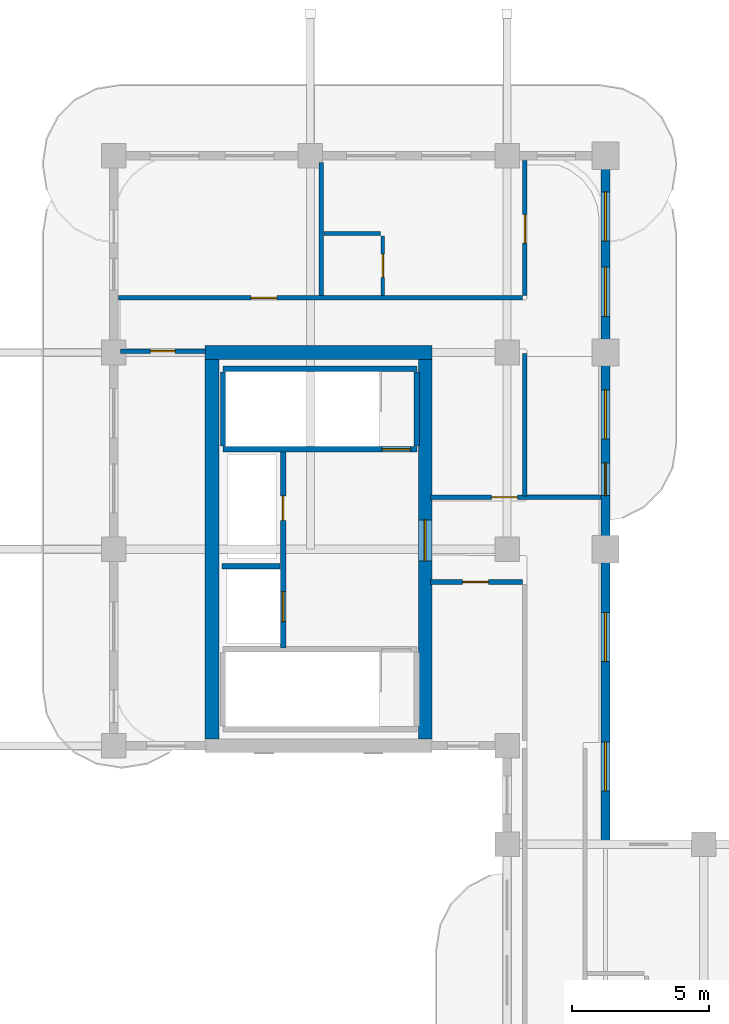
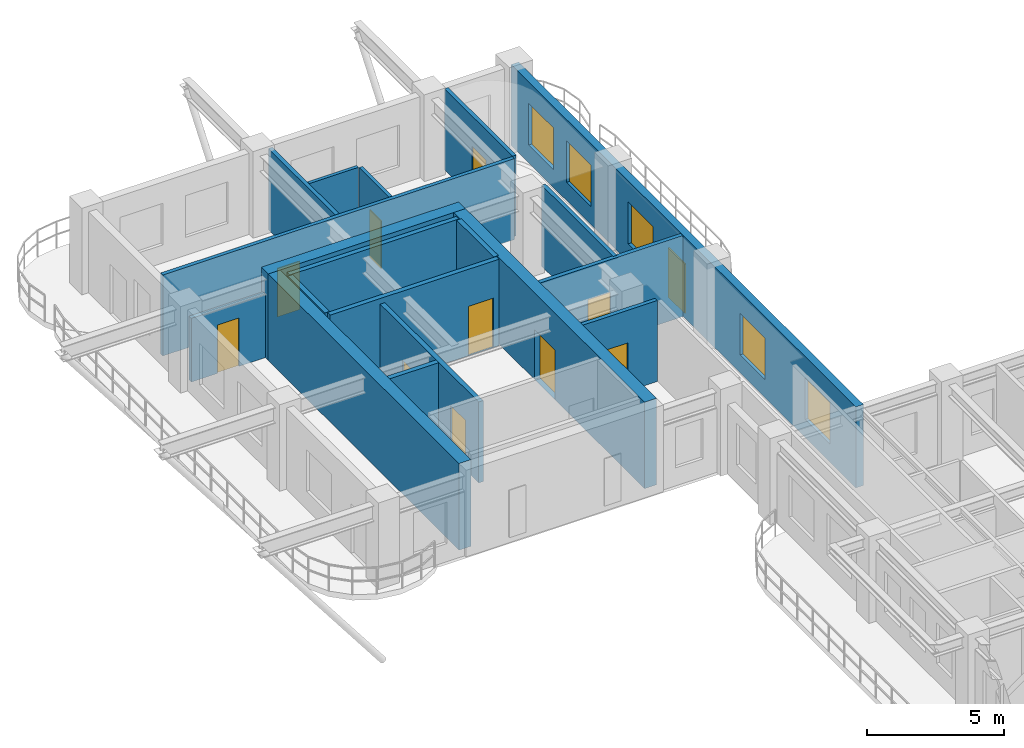
# One storey, part 10 of 14: 19 walls, 11 doors, 5 windows, 16 openings.
"""IFC4 building model written with IfcOpenShell, lengths in metres."""

from ifc_helpers import new_model, si_unit, derived_unit, direction, frame, frame_2d, origin, place, context, subcontext, project, spatial, rectangle, extrude, source, transform, mapped, material, layer, layer_set, type_object, type_shapes, element, fill, save


model = new_model("IFC4")

# Units and contexts
model_context = context("Model", 3, precision=1e-05, world=origin(), true_north=direction((0.0, 1.0)))
body_context = subcontext(model_context, "Body", "Model", "MODEL_VIEW")
ifc_project = project(units=[si_unit("LENGTHUNIT", "METRE"), si_unit("AREAUNIT", "SQUARE_METRE"), si_unit("VOLUMEUNIT", "CUBIC_METRE"), si_unit("PLANEANGLEUNIT", "RADIAN"), si_unit("MASSUNIT", "GRAM", prefix="KILO"), si_unit("THERMODYNAMICTEMPERATUREUNIT", "KELVIN"), si_unit("POWERUNIT", "WATT"), derived_unit("THERMALTRANSMITTANCEUNIT", [(si_unit("POWERUNIT", "WATT"), 1), (si_unit("AREAUNIT", "SQUARE_METRE"), -1), (si_unit("THERMODYNAMICTEMPERATUREUNIT", "KELVIN"), -1)])], contexts=[model_context])

# Site, building, storey
site_placement = place(None, origin())
site = spatial("IfcSite", under=ifc_project, at=site_placement, CompositionType="ELEMENT")
building_placement = place(site_placement, origin())
building = spatial("IfcBuilding", under=site, at=building_placement, Name="Zahravan Archway Hotel and Residences", CompositionType="ELEMENT")
storey_placement = place(building_placement, frame((0.0, 0.0, 209.60009765625)))
storey = spatial("IfcBuildingStorey", under=building, at=storey_placement, Name="L52", CompositionType="ELEMENT", Elevation=209.60009765625)

# Walls
ifc_material_1 = material(Name="Concrete C60/75", Category="concrete")
ifc_layer_1 = layer(ifc_material_1, 0.5, Name="Concrete C60/75", Category="concrete")
ifc_layer_set_1 = layer_set([ifc_layer_1], Name="Concrete C60/75")
wall_type_1 = type_object("IfcWallType", Name="CW-CORE-500", PredefinedType="SHEAR", material=ifc_layer_set_1)
wall_1_placement = place(storey_placement, frame((3.35009765625, 39.60009765625, 0.0), z_axis=(0.0, 0.0, 1.0), x_axis=(1.0, 0.0, 0.0)))
element("IfcWall", 1, at=wall_1_placement, inside=storey, type_object=wall_type_1, Name="L52 Core B Shear N Wall 500 mm", PredefinedType="SHEAR", context=body_context, shape_type="SweptSolid", body=[
    extrude(rectangle(XDim=8.2998046875, YDim=0.5, at=frame_2d((4.14990234375, 0.0))), origin(), (0.0, 0.0, 1.0), 3.849853515625),
])
wall_2_placement = place(storey_placement, frame((3.60009765625, 25.449951171875, 0.0), z_axis=(0.0, 0.0, 1.0), x_axis=(0.0, 1.0, 0.0)))
element("IfcWall", 2, at=wall_2_placement, inside=storey, type_object=wall_type_1, Name="L52 Core B Shear W Wall 500 mm", PredefinedType="SHEAR", context=body_context, shape_type="SweptSolid", body=[
    extrude(rectangle(XDim=13.900146484375, YDim=0.5, at=frame_2d((6.9501953125, 0.0))), origin(), (0.0, 0.0, 1.0), 3.849853515625),
])

# Wall, opening, door
wall_3_placement = place(storey_placement, frame((11.39990234375, 25.449951171875, 0.0), z_axis=(0.0, 0.0, 1.0), x_axis=(0.0, 1.0, 0.0)))
wall_3 = element("IfcWall", 3, at=wall_3_placement, inside=storey, type_object=wall_type_1, Name="L52 Core B Shear E Wall 500 mm", PredefinedType="SHEAR", context=body_context, shape_type="SweptSolid", body=[
    extrude(rectangle(XDim=13.900146484375, YDim=0.5, at=frame_2d((6.9501953125, 0.0))), origin(), (0.0, 0.0, 1.0), 3.849853515625),
])
opening_1_placement = place(wall_3_placement, frame((6.52001953125, 0.0, 0.0)))
opening_1 = element("IfcOpeningElement", 4, at=opening_1_placement, cuts=wall_3, Name="Opening FD-L1", PredefinedType="OPENING", context=body_context, shape_type="SweptSolid", body=[
    extrude(rectangle(XDim=1.5, YDim=2.199951171875, at=frame_2d((0.75, 1.10009765625))), frame((0.0, 0.260009765625, 0.0), z_axis=(0.0, -1.0, 0.0), x_axis=(1.0, 0.0, 0.0)), (0.0, 0.0, 1.0), 0.52001953125),
])
ifc_material_2 = material(Name="Fire-Rated Painted Steel", Category="steel")
door_type_1 = type_object("IfcDoorType", Name="FD-LOBBY-1500", OperationType="DOUBLE_DOOR_SINGLE_SWING", PredefinedType="DOOR", material=ifc_material_2)
shared_shape_1 = source(origin(), body_context, "Body", "SweptSolid", [
    extrude(rectangle(XDim=1.5, YDim=2.199951171875, at=frame_2d((0.75, 1.10009765625))), frame((0.0, 0.02490234375, 0.0), z_axis=(0.0, -1.0, 0.0), x_axis=(1.0, 0.0, 0.0)), (0.0, 0.0, 1.0), 0.050048828125),
])
type_shapes(door_type_1, [shared_shape_1])
door_1_placement = place(opening_1_placement, origin())
door_1 = element("IfcDoor", 5, at=door_1_placement, inside=storey, type_object=door_type_1, Name="L52 Core B FSAE Lobby Door", OperationType="DOUBLE_DOOR_SINGLE_SWING", OverallHeight=2.199951171875, OverallWidth=1.5, PredefinedType="DOOR", context=body_context, shape_type="MappedRepresentation", body=[
    mapped(shared_shape_1, transform((0.0, 0.0, 0.0), scale=1.0)),
])
fill(opening_1, door_1)

# Wall, openings, door, windows
ifc_material_3 = material(Name="Agra Buff Sandstone & Insulated Backup", Category="masonry")
ifc_layer_2 = layer(ifc_material_3, 0.320068359375, Name="Agra Buff Sandstone & Insulated Backup", Category="masonry")
ifc_layer_set_2 = layer_set([ifc_layer_2], Name="Agra Buff Sandstone & Insulated Backup")
wall_type_2 = type_object("IfcWallType", Name="EW-SAND-320", PredefinedType="SOLIDWALL", material=ifc_layer_set_2)
wall_4_placement = place(storey_placement, frame((18.0, 21.64990234375, 0.0), z_axis=(0.0, 0.0, 1.0), x_axis=(0.0, 1.0, 0.0)))
wall_4 = element("IfcWall", 6, at=wall_4_placement, inside=storey, type_object=wall_type_2, Name="L52 Exterior Sandstone Wall WB-EU", PredefinedType="SOLIDWALL", context=body_context, shape_type="SweptSolid", body=[
    extrude(rectangle(XDim=25.10009765625, YDim=0.320068359375, at=frame_2d((12.550048828125, 0.0))), origin(), (0.0, 0.0, 1.0), 3.599853515625),
])
opening_2_placement = place(wall_4_placement, frame((12.7060546875, 0.0, 0.0)))
opening_2 = element("IfcOpeningElement", 7, at=opening_2_placement, cuts=wall_4, Name="Opening ED-BL1", PredefinedType="OPENING", context=body_context, shape_type="SweptSolid", body=[
    extrude(rectangle(XDim=1.199951171875, YDim=2.199951171875, at=frame_2d((0.60009765625, 1.10009765625))), frame((0.0, 0.169921875, 0.0), z_axis=(0.0, -1.0, 0.0), x_axis=(1.0, 0.0, 0.0)), (0.0, 0.0, 1.0), 0.340087890625),
])
opening_3_placement = place(wall_4_placement, frame((1.889892578125, 0.0, 0.800048828125)))
opening_3 = element("IfcOpeningElement", 8, at=opening_3_placement, cuts=wall_4, Name="Opening W-02", PredefinedType="OPENING", context=body_context, shape_type="SweptSolid", body=[
    extrude(rectangle(XDim=1.800048828125, YDim=1.85009765625, at=frame_2d((0.89990234375, 0.925048828125))), frame((0.0, 0.169921875, 0.0), z_axis=(0.0, -1.0, 0.0), x_axis=(1.0, 0.0, 0.0)), (0.0, 0.0, 1.0), 0.340087890625),
])
opening_4_placement = place(wall_4_placement, frame((6.6298828125, 0.0, 0.800048828125)))
opening_4 = element("IfcOpeningElement", 9, at=opening_4_placement, cuts=wall_4, Name="Opening W-02", PredefinedType="OPENING", context=body_context, shape_type="SweptSolid", body=[
    extrude(rectangle(XDim=1.800048828125, YDim=1.85009765625, at=frame_2d((0.89990234375, 0.925048828125))), frame((0.0, 0.169921875, 0.0), z_axis=(0.0, -1.0, 0.0), x_axis=(1.0, 0.0, 0.0)), (0.0, 0.0, 1.0), 0.340087890625),
])
opening_5_placement = place(wall_4_placement, frame((14.778076171875, 0.0, 0.800048828125)))
opening_5 = element("IfcOpeningElement", 10, at=opening_5_placement, cuts=wall_4, Name="Opening W-02", PredefinedType="OPENING", context=body_context, shape_type="SweptSolid", body=[
    extrude(rectangle(XDim=1.800048828125, YDim=1.85009765625, at=frame_2d((0.89990234375, 0.925048828125))), frame((0.0, 0.169921875, 0.0), z_axis=(0.0, -1.0, 0.0), x_axis=(1.0, 0.0, 0.0)), (0.0, 0.0, 1.0), 0.340087890625),
])
opening_6_placement = place(wall_4_placement, frame((19.27490234375, 0.0, 0.800048828125)))
opening_6 = element("IfcOpeningElement", 11, at=opening_6_placement, cuts=wall_4, Name="Opening W-02", PredefinedType="OPENING", context=body_context, shape_type="SweptSolid", body=[
    extrude(rectangle(XDim=1.800048828125, YDim=1.85009765625, at=frame_2d((0.89990234375, 0.925048828125))), frame((0.0, 0.169921875, 0.0), z_axis=(0.0, -1.0, 0.0), x_axis=(1.0, 0.0, 0.0)), (0.0, 0.0, 1.0), 0.340087890625),
])
opening_7_placement = place(wall_4_placement, frame((22.02490234375, 0.0, 0.800048828125)))
opening_7 = element("IfcOpeningElement", 12, at=opening_7_placement, cuts=wall_4, Name="Opening W-02", PredefinedType="OPENING", context=body_context, shape_type="SweptSolid", body=[
    extrude(rectangle(XDim=1.800048828125, YDim=1.85009765625, at=frame_2d((0.89990234375, 0.925048828125))), frame((0.0, 0.169921875, 0.0), z_axis=(0.0, -1.0, 0.0), x_axis=(1.0, 0.0, 0.0)), (0.0, 0.0, 1.0), 0.340087890625),
])
ifc_material_4 = material(Name="Bronze-Anodized Glazed Aluminium", Category="aluminium")
door_type_2 = type_object("IfcDoorType", Name="ED-BALC-1200", OperationType="SLIDING_TO_LEFT", PredefinedType="DOOR", material=ifc_material_4)
shared_shape_2 = source(origin(), body_context, "Body", "SweptSolid", [
    extrude(rectangle(XDim=1.199951171875, YDim=2.199951171875, at=frame_2d((0.60009765625, 1.10009765625))), frame((0.0, 0.02490234375, 0.0), z_axis=(0.0, -1.0, 0.0), x_axis=(1.0, 0.0, 0.0)), (0.0, 0.0, 1.0), 0.050048828125),
])
type_shapes(door_type_2, [shared_shape_2])
door_2_placement = place(opening_2_placement, origin())
door_2 = element("IfcDoor", 13, at=door_2_placement, inside=storey, type_object=door_type_2, Name="L52 Outdoor Access Sliding Door (SLB-BAL-L52-EB)", OperationType="SLIDING_TO_LEFT", OverallHeight=2.199951171875, OverallWidth=1.199951171875, PredefinedType="DOOR", context=body_context, shape_type="MappedRepresentation", body=[
    mapped(shared_shape_2, transform((0.0, 0.0, 0.0), scale=1.0)),
])
fill(opening_2, door_2)
ifc_material_5 = material(Name="Bronze-Anodized Thermal-Break Aluminium & Low-E Glass", Category="aluminium")
window_type = type_object("IfcWindowType", Name="WIN-TWR-1800", PartitioningType="DOUBLE_PANEL_VERTICAL", PredefinedType="WINDOW", material=ifc_material_5)
shared_shape_3 = source(origin(), body_context, "Body", "SweptSolid", [
    extrude(rectangle(XDim=1.800048828125, YDim=1.85009765625, at=frame_2d((0.89990234375, 0.925048828125))), frame((0.0, 0.030029296875, 0.0), z_axis=(0.0, -1.0, 0.0), x_axis=(1.0, 0.0, 0.0)), (0.0, 0.0, 1.0), 0.06005859375),
])
type_shapes(window_type, [shared_shape_3])
window_1_placement = place(opening_3_placement, origin())
window_1 = element("IfcWindow", 14, at=window_1_placement, inside=storey, type_object=window_type, Name="L52 Loggia Window 40", OverallHeight=1.85009765625, OverallWidth=1.800048828125, PartitioningType="DOUBLE_PANEL_VERTICAL", PredefinedType="WINDOW", context=body_context, shape_type="MappedRepresentation", body=[
    mapped(shared_shape_3, transform((0.0, 0.0, 0.0), scale=1.0)),
])
fill(opening_3, window_1)
window_2_placement = place(opening_4_placement, origin())
window_2 = element("IfcWindow", 15, at=window_2_placement, inside=storey, type_object=window_type, Name="L52 Loggia Window 41", OverallHeight=1.85009765625, OverallWidth=1.800048828125, PartitioningType="DOUBLE_PANEL_VERTICAL", PredefinedType="WINDOW", context=body_context, shape_type="MappedRepresentation", body=[
    mapped(shared_shape_3, transform((0.0, 0.0, 0.0), scale=1.0)),
])
fill(opening_4, window_2)
window_3_placement = place(opening_5_placement, origin())
window_3 = element("IfcWindow", 16, at=window_3_placement, inside=storey, type_object=window_type, Name="L52 Loggia Window 42", OverallHeight=1.85009765625, OverallWidth=1.800048828125, PartitioningType="DOUBLE_PANEL_VERTICAL", PredefinedType="WINDOW", context=body_context, shape_type="MappedRepresentation", body=[
    mapped(shared_shape_3, transform((0.0, 0.0, 0.0), scale=1.0)),
])
fill(opening_5, window_3)
window_4_placement = place(opening_6_placement, origin())
window_4 = element("IfcWindow", 17, at=window_4_placement, inside=storey, type_object=window_type, Name="L52 Loggia Window 43", OverallHeight=1.85009765625, OverallWidth=1.800048828125, PartitioningType="DOUBLE_PANEL_VERTICAL", PredefinedType="WINDOW", context=body_context, shape_type="MappedRepresentation", body=[
    mapped(shared_shape_3, transform((0.0, 0.0, 0.0), scale=1.0)),
])
fill(opening_6, window_4)
window_5_placement = place(opening_7_placement, origin())
window_5 = element("IfcWindow", 18, at=window_5_placement, inside=storey, type_object=window_type, Name="L52 Loggia Window 44", OverallHeight=1.85009765625, OverallWidth=1.800048828125, PartitioningType="DOUBLE_PANEL_VERTICAL", PredefinedType="WINDOW", context=body_context, shape_type="MappedRepresentation", body=[
    mapped(shared_shape_3, transform((0.0, 0.0, 0.0), scale=1.0)),
])
fill(opening_7, window_5)

# Wall
ifc_material_6 = material(Name="Fire-Rated Gypsum & Concrete Block", Category="concrete")
ifc_layer_3 = layer(ifc_material_6, 0.159912109375, Name="Fire-Rated Gypsum & Concrete Block", Category="concrete")
ifc_layer_set_3 = layer_set([ifc_layer_3], Name="Fire-Rated Gypsum & Concrete Block")
wall_type_3 = type_object("IfcWallType", Name="PW-CORR-160", PredefinedType="PARTITIONING", material=ifc_layer_set_3)
wall_5_placement = place(storey_placement, frame((15.050048828125, 34.340087890625, 0.0), z_axis=(0.0, 0.0, 1.0), x_axis=(0.0, 1.0, 0.0)))
element("IfcWall", 19, at=wall_5_placement, inside=storey, type_object=wall_type_3, Name="L52 Partition WBN-CL", PredefinedType="PARTITIONING", context=body_context, shape_type="SweptSolid", body=[
    extrude(rectangle(XDim=5.219970703125, YDim=0.159912109375, at=frame_2d((2.60986328125, 0.0))), origin(), (0.0, 0.0, 1.0), 3.599853515625),
])

# Wall, opening, door
wall_6_placement = place(storey_placement, frame((15.050048828125, 41.68994140625, 0.0), z_axis=(0.0, 0.0, 1.0), x_axis=(0.0, 1.0, 0.0)))
wall_6 = element("IfcWall", 20, at=wall_6_placement, inside=storey, type_object=wall_type_3, Name="L52 Partition WBN-CU", PredefinedType="PARTITIONING", context=body_context, shape_type="SweptSolid", body=[
    extrude(rectangle(XDim=4.942138671875, YDim=0.159912109375, at=frame_2d((2.47119140625, 0.0))), origin(), (0.0, 0.0, 1.0), 3.599853515625),
])
opening_8_placement = place(wall_6_placement, frame((1.909912109375, 0.0, 0.0)))
opening_8 = element("IfcOpeningElement", 21, at=opening_8_placement, cuts=wall_6, Name="Opening D-U1", PredefinedType="OPENING", context=body_context, shape_type="SweptSolid", body=[
    extrude(rectangle(XDim=1.050048828125, YDim=2.25, at=frame_2d((0.52490234375, 1.125))), frame((0.0, 0.08984375, 0.0), z_axis=(0.0, -1.0, 0.0), x_axis=(1.0, 0.0, 0.0)), (0.0, 0.0, 1.0), 0.179931640625),
])
ifc_material_7 = material(Name="Hardwood Veneer Timber", Category="wood")
door_type_3 = type_object("IfcDoorType", Name="ID-UNIT-1050", OperationType="NOTDEFINED", PredefinedType="DOOR", material=ifc_material_7)
shared_shape_4 = source(origin(), body_context, "Body", "SweptSolid", [
    extrude(rectangle(XDim=1.050048828125, YDim=2.25, at=frame_2d((0.52490234375, 1.125))), frame((0.0, 0.02490234375, 0.0), z_axis=(0.0, -1.0, 0.0), x_axis=(1.0, 0.0, 0.0)), (0.0, 0.0, 1.0), 0.050048828125),
])
type_shapes(door_type_3, [shared_shape_4])
door_3_placement = place(opening_8_placement, origin())
door_3 = element("IfcDoor", 22, at=door_3_placement, inside=storey, type_object=door_type_3, Name="L52 Hotel Guestroom 78 Entrance Door", OperationType="SINGLE_SWING_LEFT", OverallHeight=2.25, OverallWidth=1.050048828125, PredefinedType="DOOR", context=body_context, shape_type="MappedRepresentation", body=[
    mapped(shared_shape_4, transform((0.0, 0.0, 0.0), scale=1.0)),
])
fill(opening_8, door_3)

wall_7_placement = place(storey_placement, frame((0.16796875, 41.60009765625, 0.0), z_axis=(0.0, 0.0, 1.0), x_axis=(1.0, 0.0, 0.0)))
wall_7 = element("IfcWall", 23, at=wall_7_placement, inside=storey, type_object=wall_type_3, Name="L52 Partition WBN-S2", PredefinedType="PARTITIONING", context=body_context, shape_type="SweptSolid", body=[
    extrude(rectangle(XDim=14.7919921875, YDim=0.159912109375, at=frame_2d((7.39599609375, 0.0))), origin(), (0.0, 0.0, 1.0), 3.599853515625),
])
opening_9_placement = place(wall_7_placement, frame((4.85693359375, 0.0, 0.0)))
opening_9 = element("IfcOpeningElement", 24, at=opening_9_placement, cuts=wall_7, Name="Opening D-I1", PredefinedType="OPENING", context=body_context, shape_type="SweptSolid", body=[
    extrude(rectangle(XDim=0.949951171875, YDim=2.14990234375, at=frame_2d((0.47509765625, 1.074951171875))), frame((0.0, 0.08984375, 0.0), z_axis=(0.0, -1.0, 0.0), x_axis=(1.0, 0.0, 0.0)), (0.0, 0.0, 1.0), 0.179931640625),
])
door_type_4 = type_object("IfcDoorType", Name="ID-INT-950", OperationType="NOTDEFINED", PredefinedType="DOOR", material=ifc_material_7)
shared_shape_5 = source(origin(), body_context, "Body", "SweptSolid", [
    extrude(rectangle(XDim=0.949951171875, YDim=2.14990234375, at=frame_2d((0.47509765625, 1.074951171875))), frame((0.0, 0.02490234375, 0.0), z_axis=(0.0, -1.0, 0.0), x_axis=(1.0, 0.0, 0.0)), (0.0, 0.0, 1.0), 0.050048828125),
])
type_shapes(door_type_4, [shared_shape_5])
door_4_placement = place(opening_9_placement, origin())
door_4 = element("IfcDoor", 25, at=door_4_placement, inside=storey, type_object=door_type_4, Name="L52 North West Study Door", OperationType="SINGLE_SWING_LEFT", OverallHeight=2.14990234375, OverallWidth=0.949951171875, PredefinedType="DOOR", context=body_context, shape_type="MappedRepresentation", body=[
    mapped(shared_shape_5, transform((0.0, 0.0, 0.0), scale=1.0)),
])
fill(opening_9, door_4)

# Wall, openings, doors
ifc_layer_4 = layer(ifc_material_6, 0.199951171875, Name="Fire-Rated Gypsum & Concrete Block", Category="concrete")
ifc_layer_set_4 = layer_set([ifc_layer_4], Name="Fire-Rated Gypsum & Concrete Block")
wall_type_4 = type_object("IfcWallType", Name="PW-SHAFT-200", PredefinedType="PARTITIONING", material=ifc_layer_set_4)
wall_8_placement = place(storey_placement, frame((6.199951171875, 28.7900390625, 0.0), z_axis=(0.0, 0.0, 1.0), x_axis=(0.0, 1.0, 0.0)))
wall_8 = element("IfcWall", 26, at=wall_8_placement, inside=storey, type_object=wall_type_4, Name="L52 Partition CB-FL3E", PredefinedType="PARTITIONING", context=body_context, shape_type="SweptSolid", body=[
    extrude(rectangle(XDim=7.219970703125, YDim=0.199951171875, at=frame_2d((3.60986328125, 0.0))), origin(), (0.0, 0.0, 1.0), 3.599853515625),
])
opening_10_placement = place(wall_8_placement, frame((4.659912109375, 0.0, 0.0)))
opening_10 = element("IfcOpeningElement", 27, at=opening_10_placement, cuts=wall_8, Name="Opening FD-R1", PredefinedType="OPENING", context=body_context, shape_type="SweptSolid", body=[
    extrude(rectangle(XDim=0.89990234375, YDim=2.10009765625, at=frame_2d((0.449951171875, 1.050048828125))), frame((0.0, 0.10986328125, 0.0), z_axis=(0.0, -1.0, 0.0), x_axis=(1.0, 0.0, 0.0)), (0.0, 0.0, 1.0), 0.219970703125),
])
opening_11_placement = place(wall_8_placement, frame((0.9599609375, 0.0, 0.0)))
opening_11 = element("IfcOpeningElement", 28, at=opening_11_placement, cuts=wall_8, Name="Opening LD", PredefinedType="OPENING", context=body_context, shape_type="SweptSolid", body=[
    extrude(rectangle(XDim=1.10009765625, YDim=2.199951171875, at=frame_2d((0.550048828125, 1.10009765625))), frame((0.0, 0.10986328125, 0.0), z_axis=(0.0, -1.0, 0.0), x_axis=(1.0, 0.0, 0.0)), (0.0, 0.0, 1.0), 0.219970703125),
])
door_type_5 = type_object("IfcDoorType", Name="FD-RISER-900", OperationType="NOTDEFINED", PredefinedType="DOOR", material=ifc_material_2)
shared_shape_6 = source(origin(), body_context, "Body", "SweptSolid", [
    extrude(rectangle(XDim=0.89990234375, YDim=2.10009765625, at=frame_2d((0.449951171875, 1.050048828125))), frame((0.0, 0.02490234375, 0.0), z_axis=(0.0, -1.0, 0.0), x_axis=(1.0, 0.0, 0.0)), (0.0, 0.0, 1.0), 0.050048828125),
])
type_shapes(door_type_5, [shared_shape_6])
door_5_placement = place(opening_10_placement, origin())
door_5 = element("IfcDoor", 29, at=door_5_placement, inside=storey, type_object=door_type_5, Name="L52 Core B Riser Door", OperationType="SINGLE_SWING_RIGHT", OverallHeight=2.10009765625, OverallWidth=0.89990234375, PredefinedType="DOOR", context=body_context, shape_type="MappedRepresentation", body=[
    mapped(shared_shape_6, transform((0.0, 0.0, 0.0), scale=1.0)),
])
fill(opening_10, door_5)
ifc_material_8 = material(Name="Brushed Stainless Steel", Category="steel")
door_type_6 = type_object("IfcDoorType", Name="DR-LIFT-LD", OperationType="SLIDING_TO_LEFT", PredefinedType="DOOR", material=ifc_material_8)
shared_shape_7 = source(origin(), body_context, "Body", "SweptSolid", [
    extrude(rectangle(XDim=1.10009765625, YDim=2.199951171875, at=frame_2d((0.550048828125, 1.10009765625))), frame((0.0, 0.02490234375, 0.0), z_axis=(0.0, -1.0, 0.0), x_axis=(1.0, 0.0, 0.0)), (0.0, 0.0, 1.0), 0.050048828125),
])
type_shapes(door_type_6, [shared_shape_7])
door_6_placement = place(opening_11_placement, origin())
door_6 = element("IfcDoor", 30, at=door_6_placement, inside=storey, type_object=door_type_6, Name="L52 Lift FL-3 Sliding Landing Door", OperationType="SLIDING_TO_LEFT", OverallHeight=2.199951171875, OverallWidth=1.10009765625, PredefinedType="DOOR", context=body_context, shape_type="MappedRepresentation", body=[
    mapped(shared_shape_7, transform((0.0, 0.0, 0.0), scale=1.0)),
])
fill(opening_11, door_6)

# Wall
wall_9_placement = place(storey_placement, frame((3.9599609375, 31.780029296875, 0.0), z_axis=(0.0, 0.0, 1.0), x_axis=(1.0, 0.0, 0.0)))
element("IfcWall", 31, at=wall_9_placement, inside=storey, type_object=wall_type_4, Name="L52 Partition CB-FL3N", PredefinedType="PARTITIONING", context=body_context, shape_type="SweptSolid", body=[
    extrude(rectangle(XDim=2.130126953125, YDim=0.199951171875, at=frame_2d((1.06494140625, 0.0))), origin(), (0.0, 0.0, 1.0), 3.599853515625),
])

# Wall, opening, door
ifc_material_9 = material(Name="Acoustic Stud Partition")
ifc_layer_5 = layer(ifc_material_9, 0.169921875, Name="Acoustic Stud Partition")
ifc_layer_set_5 = layer_set([ifc_layer_5], Name="Acoustic Stud Partition")
wall_type_5 = type_object("IfcWallType", Name="PW-UNIT-170", PredefinedType="PARTITIONING", material=ifc_layer_set_5)
wall_10_placement = place(storey_placement, frame((0.239990234375, 39.64990234375, 0.0), z_axis=(0.0, 0.0, 1.0), x_axis=(1.0, 0.0, 0.0)))
wall_10 = element("IfcWall", 32, at=wall_10_placement, inside=storey, type_object=wall_type_5, Name="L52 Partition WBW-N", PredefinedType="PARTITIONING", context=body_context, shape_type="SweptSolid", body=[
    extrude(rectangle(XDim=3.1201171875, YDim=0.169921875, at=frame_2d((1.56005859375, 0.0))), origin(), (0.0, 0.0, 1.0), 2.8349609375),
])
opening_12_placement = place(wall_10_placement, frame((1.110107421875, 0.0, 0.0)))
opening_12 = element("IfcOpeningElement", 33, at=opening_12_placement, cuts=wall_10, Name="Opening D-I2", PredefinedType="OPENING", context=body_context, shape_type="SweptSolid", body=[
    extrude(rectangle(XDim=0.89990234375, YDim=2.14990234375, at=frame_2d((0.449951171875, 1.074951171875))), frame((0.0, 0.094970703125, 0.0), z_axis=(0.0, -1.0, 0.0), x_axis=(1.0, 0.0, 0.0)), (0.0, 0.0, 1.0), 0.18994140625),
])
door_type_7 = type_object("IfcDoorType", Name="ID-INT-900", OperationType="NOTDEFINED", PredefinedType="DOOR", material=ifc_material_7)
shared_shape_8 = source(origin(), body_context, "Body", "SweptSolid", [
    extrude(rectangle(XDim=0.89990234375, YDim=2.14990234375, at=frame_2d((0.449951171875, 1.074951171875))), frame((0.0, 0.02490234375, 0.0), z_axis=(0.0, -1.0, 0.0), x_axis=(1.0, 0.0, 0.0)), (0.0, 0.0, 1.0), 0.050048828125),
])
type_shapes(door_type_7, [shared_shape_8])
door_7_placement = place(opening_12_placement, origin())
door_7 = element("IfcDoor", 34, at=door_7_placement, inside=storey, type_object=door_type_7, Name="L52 West Loggia Salon Door", OperationType="SINGLE_SWING_RIGHT", OverallHeight=2.14990234375, OverallWidth=0.89990234375, PredefinedType="DOOR", context=body_context, shape_type="MappedRepresentation", body=[
    mapped(shared_shape_8, transform((0.0, 0.0, 0.0), scale=1.0)),
])
fill(opening_12, door_7)

# Wall
wall_11_placement = place(storey_placement, frame((7.60009765625, 41.68994140625, 0.0), z_axis=(0.0, 0.0, 1.0), x_axis=(0.0, 1.0, 0.0)))
element("IfcWall", 35, at=wall_11_placement, inside=storey, type_object=wall_type_5, Name="L52 Partition WBN-V2", PredefinedType="PARTITIONING", context=body_context, shape_type="SweptSolid", body=[
    extrude(rectangle(XDim=4.8701171875, YDim=0.169921875, at=frame_2d((2.43505859375, 0.0))), origin(), (0.0, 0.0, 1.0), 3.599853515625),
])

# Wall, opening, door
wall_12_placement = place(storey_placement, frame((11.590087890625, 31.199951171875, 0.0), z_axis=(0.0, 0.0, 1.0), x_axis=(1.0, 0.0, 0.0)))
wall_12 = element("IfcWall", 36, at=wall_12_placement, inside=storey, type_object=wall_type_5, Name="L52 Partition FB1-N", PredefinedType="PARTITIONING", context=body_context, shape_type="SweptSolid", body=[
    extrude(rectangle(XDim=3.369873046875, YDim=0.169921875, at=frame_2d((1.68505859375, 0.0))), origin(), (0.0, 0.0, 1.0), 3.599853515625),
])
opening_13_placement = place(wall_12_placement, frame((1.18505859375, 0.0, 0.0)))
opening_13 = element("IfcOpeningElement", 37, at=opening_13_placement, cuts=wall_12, Name="Opening D-I1", PredefinedType="OPENING", context=body_context, shape_type="SweptSolid", body=[
    extrude(rectangle(XDim=0.949951171875, YDim=2.14990234375, at=frame_2d((0.47509765625, 1.074951171875))), frame((0.0, 0.094970703125, 0.0), z_axis=(0.0, -1.0, 0.0), x_axis=(1.0, 0.0, 0.0)), (0.0, 0.0, 1.0), 0.18994140625),
])
door_8_placement = place(opening_13_placement, origin())
door_8 = element("IfcDoor", 38, at=door_8_placement, inside=storey, type_object=door_type_4, Name="L52 Freed Bank 1 Reading Salon Door", OperationType="SINGLE_SWING_LEFT", OverallHeight=2.14990234375, OverallWidth=0.949951171875, PredefinedType="DOOR", context=body_context, shape_type="MappedRepresentation", body=[
    mapped(shared_shape_5, transform((0.0, 0.0, 0.0), scale=1.0)),
])
fill(opening_13, door_8)

wall_13_placement = place(storey_placement, frame((11.590087890625, 34.300048828125, 0.0), z_axis=(0.0, 0.0, 1.0), x_axis=(1.0, 0.0, 0.0)))
wall_13 = element("IfcWall", 39, at=wall_13_placement, inside=storey, type_object=wall_type_5, Name="L52 Partition FB2-S", PredefinedType="PARTITIONING", context=body_context, shape_type="SweptSolid", body=[
    extrude(rectangle(XDim=6.241943359375, YDim=0.169921875, at=frame_2d((3.12109375, 0.0))), origin(), (0.0, 0.0, 1.0), 3.599853515625),
])
opening_14_placement = place(wall_13_placement, frame((2.244384765625, 0.0, 0.0)))
opening_14 = element("IfcOpeningElement", 40, at=opening_14_placement, cuts=wall_13, Name="Opening D-I1", PredefinedType="OPENING", context=body_context, shape_type="SweptSolid", body=[
    extrude(rectangle(XDim=0.949951171875, YDim=2.14990234375, at=frame_2d((0.47509765625, 1.074951171875))), frame((0.0, 0.094970703125, 0.0), z_axis=(0.0, -1.0, 0.0), x_axis=(1.0, 0.0, 0.0)), (0.0, 0.0, 1.0), 0.18994140625),
])
door_9_placement = place(opening_14_placement, origin())
door_9 = element("IfcDoor", 41, at=door_9_placement, inside=storey, type_object=door_type_4, Name="L52 Freed Bank 2 Summit Archive Door", OperationType="SINGLE_SWING_LEFT", OverallHeight=2.14990234375, OverallWidth=0.949951171875, PredefinedType="DOOR", context=body_context, shape_type="MappedRepresentation", body=[
    mapped(shared_shape_5, transform((0.0, 0.0, 0.0), scale=1.0)),
])
fill(opening_14, door_9)

# Wall
ifc_material_10 = material(Name="Moisture-Resistant Blockwork", Category="masonry")
ifc_layer_6 = layer(ifc_material_10, 0.139892578125, Name="Moisture-Resistant Blockwork", Category="masonry")
ifc_layer_set_6 = layer_set([ifc_layer_6], Name="Moisture-Resistant Blockwork")
wall_type_6 = type_object("IfcWallType", Name="PW-WET-140", PredefinedType="PARTITIONING", material=ifc_layer_set_6)
wall_14_placement = place(storey_placement, frame((7.68994140625, 43.949951171875, 0.0), z_axis=(0.0, 0.0, 1.0), x_axis=(1.0, 0.0, 0.0)))
element("IfcWall", 42, at=wall_14_placement, inside=storey, type_object=wall_type_6, Name="L52 Partition HKB-H78", PredefinedType="PARTITIONING", context=body_context, shape_type="SweptSolid", body=[
    extrude(rectangle(XDim=2.070068359375, YDim=0.139892578125, at=frame_2d((1.03515625, 0.0))), origin(), (0.0, 0.0, 1.0), 3.599853515625),
])

# Wall, opening, door
wall_15_placement = place(storey_placement, frame((9.85009765625, 41.68994140625, 0.0), z_axis=(0.0, 0.0, 1.0), x_axis=(0.0, 1.0, 0.0)))
wall_15 = element("IfcWall", 43, at=wall_15_placement, inside=storey, type_object=wall_type_6, Name="L52 Partition HKB-V78", PredefinedType="PARTITIONING", context=body_context, shape_type="SweptSolid", body=[
    extrude(rectangle(XDim=2.170166015625, YDim=0.139892578125, at=frame_2d((1.0849609375, 0.0))), origin(), (0.0, 0.0, 1.0), 3.599853515625),
])
opening_15_placement = place(wall_15_placement, frame((0.659912109375, 0.0, 0.0)))
opening_15 = element("IfcOpeningElement", 44, at=opening_15_placement, cuts=wall_15, Name="Opening D-B1", PredefinedType="OPENING", context=body_context, shape_type="SweptSolid", body=[
    extrude(rectangle(XDim=0.85009765625, YDim=2.10009765625, at=frame_2d((0.425048828125, 1.050048828125))), frame((0.0, 0.080078125, 0.0), z_axis=(0.0, -1.0, 0.0), x_axis=(1.0, 0.0, 0.0)), (0.0, 0.0, 1.0), 0.159912109375),
])
door_type_8 = type_object("IfcDoorType", Name="ID-BATH-850", OperationType="NOTDEFINED", PredefinedType="DOOR", material=ifc_material_7)
shared_shape_9 = source(origin(), body_context, "Body", "SweptSolid", [
    extrude(rectangle(XDim=0.85009765625, YDim=2.10009765625, at=frame_2d((0.425048828125, 1.050048828125))), frame((0.0, 0.02490234375, 0.0), z_axis=(0.0, -1.0, 0.0), x_axis=(1.0, 0.0, 0.0)), (0.0, 0.0, 1.0), 0.050048828125),
])
type_shapes(door_type_8, [shared_shape_9])
door_10_placement = place(opening_15_placement, origin())
door_10 = element("IfcDoor", 45, at=door_10_placement, inside=storey, type_object=door_type_8, Name="L52 Guestroom 78 En-Suite Door", OperationType="SINGLE_SWING_RIGHT", OverallHeight=2.10009765625, OverallWidth=0.85009765625, PredefinedType="DOOR", context=body_context, shape_type="MappedRepresentation", body=[
    mapped(shared_shape_9, transform((0.0, 0.0, 0.0), scale=1.0)),
])
fill(opening_15, door_10)

# Walls
ifc_material_11 = material(Name="Concrete C50/60", Category="concrete")
ifc_layer_7 = layer(ifc_material_11, 0.199951171875, Name="Concrete C50/60", Category="concrete")
ifc_layer_set_7 = layer_set([ifc_layer_7], Name="Concrete C50/60")
wall_type_7 = type_object("IfcWallType", Name="SW-STAIR-200", PredefinedType="SHEAR", material=ifc_layer_set_7)
wall_16_placement = place(storey_placement, frame((4.0, 39.0, 0.0), z_axis=(0.0, 0.0, 1.0), x_axis=(1.0, 0.0, 0.0)))
element("IfcWall", 46, at=wall_16_placement, inside=storey, type_object=wall_type_7, Name="L52 Stairwell RC Wall CB-SB2N", PredefinedType="SHEAR", context=body_context, shape_type="SweptSolid", body=[
    extrude(rectangle(XDim=7.10009765625, YDim=0.199951171875, at=frame_2d((3.550048828125, 0.0))), origin(), (0.0, 0.0, 1.0), 3.849853515625),
])
for number, where, z_axis, x_axis, name in (
    (47, (4.0, 36.179931640625, 0.0), (0.0, 0.0, 1.0), (0.0, 1.0, 0.0), "L52 Stairwell RC Wall CB-SB2W"),
    (48, (11.10009765625, 36.179931640625, 0.0), (0.0, 0.0, 1.0), (0.0, 1.0, 0.0), "L52 Stairwell RC Wall CB-SB2E"),
):
    element("IfcWall", number, at=place(storey_placement, frame(where, z_axis=z_axis, x_axis=x_axis)), inside=storey, type_object=wall_type_7, Name=name, PredefinedType="SHEAR", context=body_context, shape_type="SweptSolid", body=[
        extrude(rectangle(XDim=2.699951171875, YDim=0.199951171875, at=frame_2d((1.35009765625, 0.0))), origin(), (0.0, 0.0, 1.0), 3.849853515625),
    ])

# Wall, opening, door
wall_17_placement = place(storey_placement, frame((4.0, 36.06005859375, 0.0), z_axis=(0.0, 0.0, 1.0), x_axis=(1.0, 0.0, 0.0)))
wall_17 = element("IfcWall", 49, at=wall_17_placement, inside=storey, type_object=wall_type_7, Name="L52 Stairwell RC Wall CB-SB2S", PredefinedType="SHEAR", context=body_context, shape_type="SweptSolid", body=[
    extrude(rectangle(XDim=7.10009765625, YDim=0.199951171875, at=frame_2d((3.550048828125, 0.0))), origin(), (0.0, 0.0, 1.0), 3.849853515625),
])
opening_16_placement = place(wall_17_placement, frame((5.81494140625, 0.0, 0.0)))
opening_16 = element("IfcOpeningElement", 50, at=opening_16_placement, cuts=wall_17, Name="Opening FD-S1", PredefinedType="OPENING", context=body_context, shape_type="SweptSolid", body=[
    extrude(rectangle(XDim=1.050048828125, YDim=2.199951171875, at=frame_2d((0.52490234375, 1.10009765625))), frame((0.0, 0.10986328125, 0.0), z_axis=(0.0, -1.0, 0.0), x_axis=(1.0, 0.0, 0.0)), (0.0, 0.0, 1.0), 0.219970703125),
])
door_type_9 = type_object("IfcDoorType", Name="FD-STAIR-1100", OperationType="NOTDEFINED", PredefinedType="DOOR", material=ifc_material_2)
shared_shape_10 = source(origin(), body_context, "Body", "SweptSolid", [
    extrude(rectangle(XDim=1.050048828125, YDim=2.199951171875, at=frame_2d((0.52490234375, 1.10009765625))), frame((0.0, 0.02490234375, 0.0), z_axis=(0.0, -1.0, 0.0), x_axis=(1.0, 0.0, 0.0)), (0.0, 0.0, 1.0), 0.050048828125),
])
type_shapes(door_type_9, [shared_shape_10])
door_11_placement = place(opening_16_placement, origin())
door_11 = element("IfcDoor", 51, at=door_11_placement, inside=storey, type_object=door_type_9, Name="L52 Stair ST-B2 Door", OperationType="SINGLE_SWING_LEFT", OverallHeight=2.199951171875, OverallWidth=1.050048828125, PredefinedType="DOOR", context=body_context, shape_type="MappedRepresentation", body=[
    mapped(shared_shape_10, transform((0.0, 0.0, 0.0), scale=1.0)),
])
fill(opening_16, door_11)

save(model, "model.ifc")
